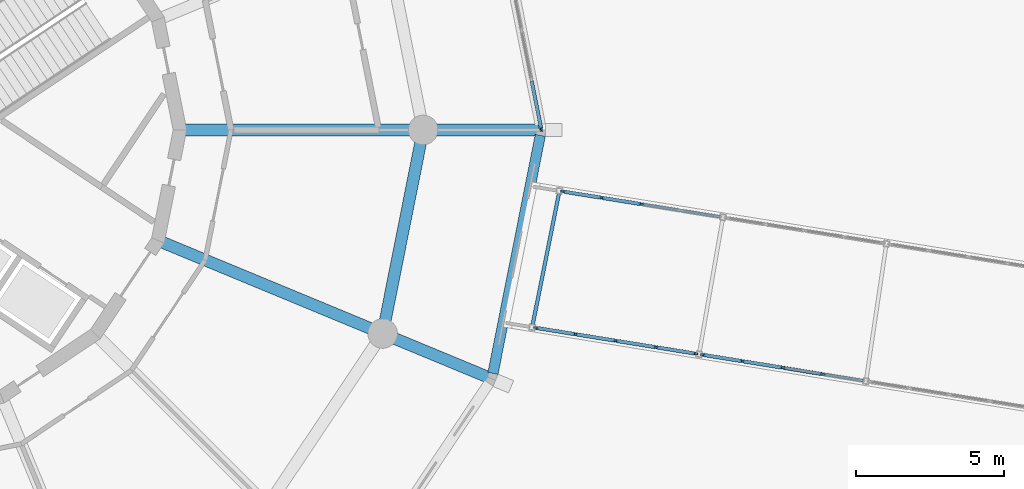
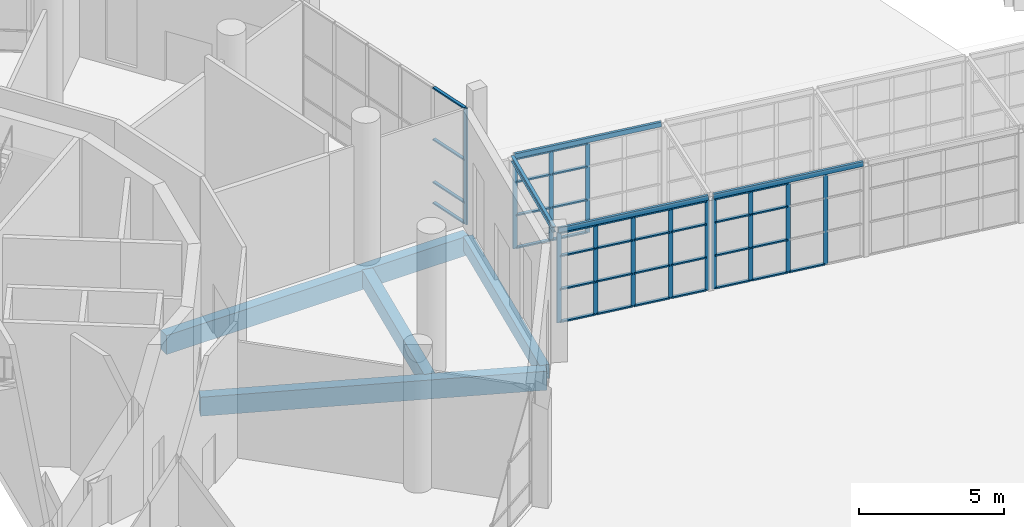
# One storey, part 68 of 226: 50 members, 8 beams, 4 elements without a shape of their own.
"""IFC4 building model written with IfcOpenShell, lengths in metres."""

from ifc_helpers import new_model, si_unit, direction, frame, origin, origin_2d, place, context, subcontext, project, spatial, rectangle, hollow_rectangle, i_section, extrude, material, material_profile, profile_set, type_object, element, aggregate, save


model = new_model("IFC4")

# Units and contexts
model_context = context("Model", 3, precision=1e-05, world=origin(), true_north=direction((0.0, 1.0)))
body_context = subcontext(model_context, "Body", "Model", "MODEL_VIEW")
ifc_project = project(units=[si_unit("LENGTHUNIT", "METRE"), si_unit("AREAUNIT", "SQUARE_METRE"), si_unit("VOLUMEUNIT", "CUBIC_METRE"), si_unit("PLANEANGLEUNIT", "RADIAN"), si_unit("MASSUNIT", "GRAM", prefix="KILO")], contexts=[model_context])

# Site, building, storey
site_placement = place(None, origin())
site = spatial("IfcSite", under=ifc_project, at=site_placement, CompositionType="ELEMENT")
building_placement = place(site_placement, origin())
building = spatial("IfcBuilding", under=site, at=building_placement, Name="Ceibo Conservatory and Research Tower", CompositionType="ELEMENT")
storey_placement = place(building_placement, origin())
storey = spatial("IfcBuildingStorey", under=building, at=storey_placement, Name="L00", CompositionType="ELEMENT", Elevation=0.0)

# Curtain wall, members
ifc_material_1 = material(Name="Aluminium and glass", Category="aluminium")
curtain_wall_type_1 = type_object("IfcCurtainWallType", Name="Curtain wall CW1", PredefinedType="NOTDEFINED", material=ifc_material_1)
curtain_wall_1_placement = place(storey_placement, origin())
curtain_wall_1 = element("IfcCurtainWall", 1, at=curtain_wall_1_placement, inside=storey, type_object=curtain_wall_type_1, Name="CW-00.01", PredefinedType="NOTDEFINED")
ifc_material_2 = material(Name="Aluminium", Category="aluminium")
ifc_material_profile_1 = material_profile(ifc_material_2, rectangle(XDim=0.06005859375, YDim=0.159912109375, at=origin_2d()), Name="Aluminium 60 x 160")
ifc_profile_set_1 = profile_set([ifc_material_profile_1], Name="Aluminium")
member_type_1 = type_object("IfcMemberType", Name="Aluminium mullion 60 x 160", PredefinedType="MULLION", material=ifc_profile_set_1)
member_1_placement = place(storey_placement, frame((69.994140625, 120.029541015625, 0.0), z_axis=(0.0, 0.0, 1.0), x_axis=(-0.980785288916, -0.195090279221, 0.0)))
member_1 = element("IfcMember", 2, at=member_1_placement, type_object=member_type_1, Name="CW-00.01 mullion 1", PredefinedType="MULLION", context=body_context, shape_type="SweptSolid", body=[
    extrude(rectangle(XDim=0.06005859375, YDim=0.159912109375, at=origin_2d()), origin(), (0.0, 0.0, 1.0), 4.89990234375),
])
ifc_material_profile_2 = material_profile(ifc_material_2, rectangle(XDim=0.1201171875, YDim=0.06005859375, at=origin_2d()), Name="Aluminium 60 x 120")
ifc_profile_set_2 = profile_set([ifc_material_profile_2], Name="Aluminium")
member_type_2 = type_object("IfcMemberType", Name="Aluminium transom 60 x 120", PredefinedType="USERDEFINED", material=ifc_profile_set_2)
member_2_placement = place(storey_placement, frame((69.98828125, 120.058837890625, 0.030029296875), z_axis=(-0.195105867559, 0.980782188074, 0.0), x_axis=(-0.980782188074, -0.195105867559, 0.0)))
member_2 = element("IfcMember", 3, at=member_2_placement, type_object=member_type_2, Name="CW-00.01 transom 1.1", ObjectType="TRANSOM", PredefinedType="USERDEFINED", context=body_context, shape_type="SweptSolid", body=[
    extrude(rectangle(XDim=0.1201171875, YDim=0.06005859375, at=origin_2d()), origin(), (0.0, 0.0, 1.0), 1.626708984375),
])
member_3_placement = place(storey_placement, frame((69.98828125, 120.058837890625, 0.89990234375), z_axis=(-0.195105867559, 0.980782188074, 0.0), x_axis=(-0.980782188074, -0.195105867559, 0.0)))
member_3 = element("IfcMember", 4, at=member_3_placement, type_object=member_type_2, Name="CW-00.01 transom 1.2", ObjectType="TRANSOM", PredefinedType="USERDEFINED", context=body_context, shape_type="SweptSolid", body=[
    extrude(rectangle(XDim=0.1201171875, YDim=0.06005859375, at=origin_2d()), origin(), (0.0, 0.0, 1.0), 1.626708984375),
])
member_4_placement = place(storey_placement, frame((69.98828125, 120.058837890625, 2.699951171875), z_axis=(-0.195105867559, 0.980782188074, 0.0), x_axis=(-0.980782188074, -0.195105867559, 0.0)))
member_4 = element("IfcMember", 5, at=member_4_placement, type_object=member_type_2, Name="CW-00.01 transom 1.3", ObjectType="TRANSOM", PredefinedType="USERDEFINED", context=body_context, shape_type="SweptSolid", body=[
    extrude(rectangle(XDim=0.1201171875, YDim=0.06005859375, at=origin_2d()), origin(), (0.0, 0.0, 1.0), 1.626708984375),
])
member_5_placement = place(storey_placement, frame((69.98828125, 120.058837890625, 4.8701171875), z_axis=(-0.195105867559, 0.980782188074, 0.0), x_axis=(-0.980782188074, -0.195105867559, 0.0)))
member_5 = element("IfcMember", 6, at=member_5_placement, type_object=member_type_2, Name="CW-00.01 transom 1.4", ObjectType="TRANSOM", PredefinedType="USERDEFINED", context=body_context, shape_type="SweptSolid", body=[
    extrude(rectangle(XDim=0.1201171875, YDim=0.06005859375, at=origin_2d()), origin(), (0.0, 0.0, 1.0), 1.626708984375),
])
aggregate(curtain_wall_1, [member_1, member_2, member_3, member_4, member_5])

curtain_wall_type_2 = type_object("IfcCurtainWallType", Name="Gallery curtain wall", PredefinedType="NOTDEFINED", material=ifc_material_1)
curtain_wall_2_placement = place(storey_placement, origin())
curtain_wall_2 = element("IfcCurtainWall", 7, at=curtain_wall_2_placement, inside=storey, type_object=curtain_wall_type_2, Name="Gallery curtain wall A-RT-CWN08", PredefinedType="NOTDEFINED")
ifc_material_profile_3 = material_profile(ifc_material_2, rectangle(XDim=0.06005859375, YDim=0.159912109375, at=origin_2d()), Name="AL 60x160")
ifc_profile_set_3 = profile_set([ifc_material_profile_3], Name="Aluminium")
member_type_3 = type_object("IfcMemberType", Name="Gallery mullion 60x160", PredefinedType="MULLION", material=ifc_profile_set_3)
member_6_placement = place(storey_placement, frame((79.5205078125, 111.73779296875, 0.0), z_axis=(0.0, 0.0, 1.0), x_axis=(-0.159391110254, -0.987215515464, 0.0)))
member_6 = element("IfcMember", 8, at=member_6_placement, type_object=member_type_3, Name="A-RT-CWN08 mullion 2", PredefinedType="MULLION", context=body_context, shape_type="SweptSolid", body=[
    extrude(rectangle(XDim=0.06005859375, YDim=0.159912109375, at=origin_2d()), origin(), (0.0, 0.0, 1.0), 3.800048828125),
])
member_7_placement = place(storey_placement, frame((78.15869140625, 111.95751953125, 0.0), z_axis=(0.0, 0.0, 1.0), x_axis=(-0.159391110254, -0.987215515464, 0.0)))
member_7 = element("IfcMember", 9, at=member_7_placement, type_object=member_type_3, Name="A-RT-CWN08 mullion 3", PredefinedType="MULLION", context=body_context, shape_type="SweptSolid", body=[
    extrude(rectangle(XDim=0.06005859375, YDim=0.159912109375, at=origin_2d()), origin(), (0.0, 0.0, 1.0), 3.800048828125),
])
member_8_placement = place(storey_placement, frame((76.796875, 112.177490234375, 0.0), z_axis=(0.0, 0.0, 1.0), x_axis=(-0.159391110254, -0.987215515464, 0.0)))
member_8 = element("IfcMember", 10, at=member_8_placement, type_object=member_type_3, Name="A-RT-CWN08 mullion 4", PredefinedType="MULLION", context=body_context, shape_type="SweptSolid", body=[
    extrude(rectangle(XDim=0.06005859375, YDim=0.159912109375, at=origin_2d()), origin(), (0.0, 0.0, 1.0), 3.800048828125),
])
member_9_placement = place(storey_placement, frame((75.464599609375, 112.392578125, 0.0), z_axis=(0.0, 0.0, 1.0), x_axis=(-0.159391110254, -0.987215515464, 0.0)))
member_9 = element("IfcMember", 11, at=member_9_placement, type_object=member_type_3, Name="A-RT-CWN08 mullion 5", PredefinedType="MULLION", context=body_context, shape_type="SweptSolid", body=[
    extrude(rectangle(XDim=0.06005859375, YDim=0.159912109375, at=origin_2d()), origin(), (0.0, 0.0, 1.0), 3.800048828125),
])

curtain_wall_3_placement = place(storey_placement, origin())
curtain_wall_3 = element("IfcCurtainWall", 12, at=curtain_wall_3_placement, inside=storey, type_object=curtain_wall_type_2, Name="Gallery curtain wall A-RT-CWN09", PredefinedType="NOTDEFINED")
member_10_placement = place(storey_placement, frame((75.207763671875, 112.43408203125, 0.0), z_axis=(0.0, 0.0, 1.0), x_axis=(-0.159391110254, -0.987215515464, 0.0)))
member_10 = element("IfcMember", 13, at=member_10_placement, type_object=member_type_3, Name="A-RT-CWN09 mullion 1", PredefinedType="MULLION", context=body_context, shape_type="SweptSolid", body=[
    extrude(rectangle(XDim=0.06005859375, YDim=0.159912109375, at=origin_2d()), origin(), (0.0, 0.0, 1.0), 3.800048828125),
])
member_11_placement = place(storey_placement, frame((73.87548828125, 112.649169921875, 0.0), z_axis=(0.0, 0.0, 1.0), x_axis=(-0.159391110254, -0.987215515464, 0.0)))
member_11 = element("IfcMember", 14, at=member_11_placement, type_object=member_type_3, Name="A-RT-CWN09 mullion 2", PredefinedType="MULLION", context=body_context, shape_type="SweptSolid", body=[
    extrude(rectangle(XDim=0.06005859375, YDim=0.159912109375, at=origin_2d()), origin(), (0.0, 0.0, 1.0), 3.800048828125),
])
member_12_placement = place(storey_placement, frame((72.513671875, 112.868896484375, 0.0), z_axis=(0.0, 0.0, 1.0), x_axis=(-0.159391110254, -0.987215515464, 0.0)))
member_12 = element("IfcMember", 15, at=member_12_placement, type_object=member_type_3, Name="A-RT-CWN09 mullion 3", PredefinedType="MULLION", context=body_context, shape_type="SweptSolid", body=[
    extrude(rectangle(XDim=0.06005859375, YDim=0.159912109375, at=origin_2d()), origin(), (0.0, 0.0, 1.0), 3.800048828125),
])
member_13_placement = place(storey_placement, frame((71.15185546875, 113.0888671875, 0.0), z_axis=(0.0, 0.0, 1.0), x_axis=(-0.159391110254, -0.987215515464, 0.0)))
member_13 = element("IfcMember", 16, at=member_13_placement, type_object=member_type_3, Name="A-RT-CWN09 mullion 4", PredefinedType="MULLION", context=body_context, shape_type="SweptSolid", body=[
    extrude(rectangle(XDim=0.06005859375, YDim=0.159912109375, at=origin_2d()), origin(), (0.0, 0.0, 1.0), 3.800048828125),
])
member_14_placement = place(storey_placement, frame((69.819580078125, 113.303955078125, 0.0), z_axis=(0.0, 0.0, 1.0), x_axis=(-0.159391110254, -0.987215515464, 0.0)))
member_14 = element("IfcMember", 17, at=member_14_placement, type_object=member_type_3, Name="A-RT-CWN09 mullion 5", PredefinedType="MULLION", context=body_context, shape_type="SweptSolid", body=[
    extrude(rectangle(XDim=0.06005859375, YDim=0.159912109375, at=origin_2d()), origin(), (0.0, 0.0, 1.0), 3.800048828125),
])

curtain_wall_4_placement = place(storey_placement, origin())
curtain_wall_4 = element("IfcCurtainWall", 18, at=curtain_wall_4_placement, inside=storey, type_object=curtain_wall_type_2, Name="Gallery curtain wall A-RT-CWS09", PredefinedType="NOTDEFINED")
member_15_placement = place(storey_placement, frame((73.375244140625, 117.49072265625, 0.0), z_axis=(0.0, 0.0, 1.0), x_axis=(-0.159391110254, -0.987215515464, 0.0)))
member_15 = element("IfcMember", 19, at=member_15_placement, type_object=member_type_3, Name="A-RT-CWS09 mullion 3", PredefinedType="MULLION", context=body_context, shape_type="SweptSolid", body=[
    extrude(rectangle(XDim=0.06005859375, YDim=0.159912109375, at=origin_2d()), origin(), (0.0, 0.0, 1.0), 3.800048828125),
])
member_16_placement = place(storey_placement, frame((72.041259765625, 117.7060546875, 0.0), z_axis=(0.0, 0.0, 1.0), x_axis=(-0.159391110254, -0.987215515464, 0.0)))
member_16 = element("IfcMember", 20, at=member_16_placement, type_object=member_type_3, Name="A-RT-CWS09 mullion 4", PredefinedType="MULLION", context=body_context, shape_type="SweptSolid", body=[
    extrude(rectangle(XDim=0.06005859375, YDim=0.159912109375, at=origin_2d()), origin(), (0.0, 0.0, 1.0), 3.800048828125),
])
member_17_placement = place(storey_placement, frame((70.737060546875, 117.916748046875, 0.0), z_axis=(0.0, 0.0, 1.0), x_axis=(-0.159391110254, -0.987215515464, 0.0)))
member_17 = element("IfcMember", 21, at=member_17_placement, type_object=member_type_3, Name="A-RT-CWS09 mullion 5", PredefinedType="MULLION", context=body_context, shape_type="SweptSolid", body=[
    extrude(rectangle(XDim=0.06005859375, YDim=0.159912109375, at=origin_2d()), origin(), (0.0, 0.0, 1.0), 3.800048828125),
])

# Member
ifc_material_profile_4 = material_profile(ifc_material_2, rectangle(XDim=0.1201171875, YDim=0.06005859375, at=origin_2d()), Name="AL 60x120")
ifc_profile_set_4 = profile_set([ifc_material_profile_4], Name="Aluminium")
member_type_4 = type_object("IfcMemberType", Name="Gallery transom 60x120", PredefinedType="USERDEFINED", material=ifc_profile_set_4)
member_18_placement = place(storey_placement, frame((79.490966796875, 111.742431640625, 0.030029296875), z_axis=(-0.987201687199, 0.159476734326, 0.0), x_axis=(-0.159476734326, -0.987201687199, 0.0)))
member_18 = element("IfcMember", 22, at=member_18_placement, type_object=member_type_4, Name="A-RT-CWN08 transom 2.1", ObjectType="TRANSOM", PredefinedType="USERDEFINED", context=body_context, shape_type="SweptSolid", body=[
    extrude(rectangle(XDim=0.1201171875, YDim=0.06005859375, at=origin_2d()), origin(), (0.0, 0.0, 1.0), 1.319580078125),
])

member_19_placement = place(storey_placement, frame((78.129150390625, 111.96240234375, 0.030029296875), z_axis=(-0.987230798426, 0.159296423809, 0.0), x_axis=(-0.159296423809, -0.987230798426, 0.0)))
member_19 = element("IfcMember", 23, at=member_19_placement, type_object=member_type_4, Name="A-RT-CWN08 transom 3.1", ObjectType="TRANSOM", PredefinedType="USERDEFINED", context=body_context, shape_type="SweptSolid", body=[
    extrude(rectangle(XDim=0.1201171875, YDim=0.06005859375, at=origin_2d()), origin(), (0.0, 0.0, 1.0), 1.319580078125),
])

member_20_placement = place(storey_placement, frame((78.129150390625, 111.96240234375, 1.39990234375), z_axis=(-0.987230798426, 0.159296423809, 0.0), x_axis=(-0.159296423809, -0.987230798426, 0.0)))
member_20 = element("IfcMember", 24, at=member_20_placement, type_object=member_type_4, Name="A-RT-CWN08 transom 3.2", ObjectType="TRANSOM", PredefinedType="USERDEFINED", context=body_context, shape_type="SweptSolid", body=[
    extrude(rectangle(XDim=0.1201171875, YDim=0.06005859375, at=origin_2d()), origin(), (0.0, 0.0, 1.0), 1.319580078125),
])

member_21_placement = place(storey_placement, frame((78.129150390625, 111.96240234375, 2.800048828125), z_axis=(-0.987230798426, 0.159296423809, 0.0), x_axis=(-0.159296423809, -0.987230798426, 0.0)))
member_21 = element("IfcMember", 25, at=member_21_placement, type_object=member_type_4, Name="A-RT-CWN08 transom 3.3", ObjectType="TRANSOM", PredefinedType="USERDEFINED", context=body_context, shape_type="SweptSolid", body=[
    extrude(rectangle(XDim=0.1201171875, YDim=0.06005859375, at=origin_2d()), origin(), (0.0, 0.0, 1.0), 1.319580078125),
])

member_22_placement = place(storey_placement, frame((78.129150390625, 111.96240234375, 3.77001953125), z_axis=(-0.987230798426, 0.159296423809, 0.0), x_axis=(-0.159296423809, -0.987230798426, 0.0)))
member_22 = element("IfcMember", 26, at=member_22_placement, type_object=member_type_4, Name="A-RT-CWN08 transom 3.4", ObjectType="TRANSOM", PredefinedType="USERDEFINED", context=body_context, shape_type="SweptSolid", body=[
    extrude(rectangle(XDim=0.1201171875, YDim=0.06005859375, at=origin_2d()), origin(), (0.0, 0.0, 1.0), 1.319580078125),
])

member_23_placement = place(storey_placement, frame((76.76708984375, 112.182373046875, 0.030029296875), z_axis=(-0.987240160532, 0.159238391831, 0.0), x_axis=(-0.159238391831, -0.987240160532, 0.0)))
member_23 = element("IfcMember", 27, at=member_23_placement, type_object=member_type_4, Name="A-RT-CWN08 transom 4.1", ObjectType="TRANSOM", PredefinedType="USERDEFINED", context=body_context, shape_type="SweptSolid", body=[
    extrude(rectangle(XDim=0.1201171875, YDim=0.06005859375, at=origin_2d()), origin(), (0.0, 0.0, 1.0), 1.289306640625),
])

member_24_placement = place(storey_placement, frame((76.76708984375, 112.182373046875, 1.39990234375), z_axis=(-0.987240160532, 0.159238391831, 0.0), x_axis=(-0.159238391831, -0.987240160532, 0.0)))
member_24 = element("IfcMember", 28, at=member_24_placement, type_object=member_type_4, Name="A-RT-CWN08 transom 4.2", ObjectType="TRANSOM", PredefinedType="USERDEFINED", context=body_context, shape_type="SweptSolid", body=[
    extrude(rectangle(XDim=0.1201171875, YDim=0.06005859375, at=origin_2d()), origin(), (0.0, 0.0, 1.0), 1.289306640625),
])

member_25_placement = place(storey_placement, frame((76.76708984375, 112.182373046875, 2.800048828125), z_axis=(-0.987240160532, 0.159238391831, 0.0), x_axis=(-0.159238391831, -0.987240160532, 0.0)))
member_25 = element("IfcMember", 29, at=member_25_placement, type_object=member_type_4, Name="A-RT-CWN08 transom 4.3", ObjectType="TRANSOM", PredefinedType="USERDEFINED", context=body_context, shape_type="SweptSolid", body=[
    extrude(rectangle(XDim=0.1201171875, YDim=0.06005859375, at=origin_2d()), origin(), (0.0, 0.0, 1.0), 1.289306640625),
])

member_26_placement = place(storey_placement, frame((76.76708984375, 112.182373046875, 3.77001953125), z_axis=(-0.987240160532, 0.159238391831, 0.0), x_axis=(-0.159238391831, -0.987240160532, 0.0)))
member_26 = element("IfcMember", 30, at=member_26_placement, type_object=member_type_4, Name="A-RT-CWN08 transom 4.4", ObjectType="TRANSOM", PredefinedType="USERDEFINED", context=body_context, shape_type="SweptSolid", body=[
    extrude(rectangle(XDim=0.1201171875, YDim=0.06005859375, at=origin_2d()), origin(), (0.0, 0.0, 1.0), 1.289306640625),
])

aggregate(curtain_wall_2, [member_6, member_7, member_8, member_9, member_18, member_19, member_20, member_21, member_22, member_23, member_24, member_25, member_26])

member_27_placement = place(storey_placement, frame((75.17822265625, 112.438720703125, 0.030029296875), z_axis=(-0.987210378052, 0.159422926413, 0.0), x_axis=(-0.159422926413, -0.987210378052, 0.0)))
member_27 = element("IfcMember", 31, at=member_27_placement, type_object=member_type_4, Name="A-RT-CWN09 transom 1.1", ObjectType="TRANSOM", PredefinedType="USERDEFINED", context=body_context, shape_type="SweptSolid", body=[
    extrude(rectangle(XDim=0.1201171875, YDim=0.06005859375, at=origin_2d()), origin(), (0.0, 0.0, 1.0), 1.28955078125),
])

member_28_placement = place(storey_placement, frame((75.17822265625, 112.438720703125, 1.39990234375), z_axis=(-0.987210378052, 0.159422926413, 0.0), x_axis=(-0.159422926413, -0.987210378052, 0.0)))
member_28 = element("IfcMember", 32, at=member_28_placement, type_object=member_type_4, Name="A-RT-CWN09 transom 1.2", ObjectType="TRANSOM", PredefinedType="USERDEFINED", context=body_context, shape_type="SweptSolid", body=[
    extrude(rectangle(XDim=0.1201171875, YDim=0.06005859375, at=origin_2d()), origin(), (0.0, 0.0, 1.0), 1.28955078125),
])

member_29_placement = place(storey_placement, frame((75.17822265625, 112.438720703125, 2.800048828125), z_axis=(-0.987210378052, 0.159422926413, 0.0), x_axis=(-0.159422926413, -0.987210378052, 0.0)))
member_29 = element("IfcMember", 33, at=member_29_placement, type_object=member_type_4, Name="A-RT-CWN09 transom 1.3", ObjectType="TRANSOM", PredefinedType="USERDEFINED", context=body_context, shape_type="SweptSolid", body=[
    extrude(rectangle(XDim=0.1201171875, YDim=0.06005859375, at=origin_2d()), origin(), (0.0, 0.0, 1.0), 1.28955078125),
])

member_30_placement = place(storey_placement, frame((75.17822265625, 112.438720703125, 3.77001953125), z_axis=(-0.987210378052, 0.159422926413, 0.0), x_axis=(-0.159422926413, -0.987210378052, 0.0)))
member_30 = element("IfcMember", 34, at=member_30_placement, type_object=member_type_4, Name="A-RT-CWN09 transom 1.4", ObjectType="TRANSOM", PredefinedType="USERDEFINED", context=body_context, shape_type="SweptSolid", body=[
    extrude(rectangle(XDim=0.1201171875, YDim=0.06005859375, at=origin_2d()), origin(), (0.0, 0.0, 1.0), 1.28955078125),
])

member_31_placement = place(storey_placement, frame((73.845947265625, 112.65380859375, 0.030029296875), z_axis=(-0.987201687199, 0.159476734326, 0.0), x_axis=(-0.159476734326, -0.987201687199, 0.0)))
member_31 = element("IfcMember", 35, at=member_31_placement, type_object=member_type_4, Name="A-RT-CWN09 transom 2.1", ObjectType="TRANSOM", PredefinedType="USERDEFINED", context=body_context, shape_type="SweptSolid", body=[
    extrude(rectangle(XDim=0.1201171875, YDim=0.06005859375, at=origin_2d()), origin(), (0.0, 0.0, 1.0), 1.319580078125),
])

member_32_placement = place(storey_placement, frame((73.845947265625, 112.65380859375, 1.39990234375), z_axis=(-0.987201687199, 0.159476734326, 0.0), x_axis=(-0.159476734326, -0.987201687199, 0.0)))
member_32 = element("IfcMember", 36, at=member_32_placement, type_object=member_type_4, Name="A-RT-CWN09 transom 2.2", ObjectType="TRANSOM", PredefinedType="USERDEFINED", context=body_context, shape_type="SweptSolid", body=[
    extrude(rectangle(XDim=0.1201171875, YDim=0.06005859375, at=origin_2d()), origin(), (0.0, 0.0, 1.0), 1.319580078125),
])

member_33_placement = place(storey_placement, frame((73.845947265625, 112.65380859375, 2.800048828125), z_axis=(-0.987201687199, 0.159476734326, 0.0), x_axis=(-0.159476734326, -0.987201687199, 0.0)))
member_33 = element("IfcMember", 37, at=member_33_placement, type_object=member_type_4, Name="A-RT-CWN09 transom 2.3", ObjectType="TRANSOM", PredefinedType="USERDEFINED", context=body_context, shape_type="SweptSolid", body=[
    extrude(rectangle(XDim=0.1201171875, YDim=0.06005859375, at=origin_2d()), origin(), (0.0, 0.0, 1.0), 1.319580078125),
])

member_34_placement = place(storey_placement, frame((73.845947265625, 112.65380859375, 3.77001953125), z_axis=(-0.987201687199, 0.159476734326, 0.0), x_axis=(-0.159476734326, -0.987201687199, 0.0)))
member_34 = element("IfcMember", 38, at=member_34_placement, type_object=member_type_4, Name="A-RT-CWN09 transom 2.4", ObjectType="TRANSOM", PredefinedType="USERDEFINED", context=body_context, shape_type="SweptSolid", body=[
    extrude(rectangle(XDim=0.1201171875, YDim=0.06005859375, at=origin_2d()), origin(), (0.0, 0.0, 1.0), 1.319580078125),
])

member_35_placement = place(storey_placement, frame((72.484130859375, 112.873779296875, 0.030029296875), z_axis=(-0.987201687199, 0.159476734326, 0.0), x_axis=(-0.159476734326, -0.987201687199, 0.0)))
member_35 = element("IfcMember", 39, at=member_35_placement, type_object=member_type_4, Name="A-RT-CWN09 transom 3.1", ObjectType="TRANSOM", PredefinedType="USERDEFINED", context=body_context, shape_type="SweptSolid", body=[
    extrude(rectangle(XDim=0.1201171875, YDim=0.06005859375, at=origin_2d()), origin(), (0.0, 0.0, 1.0), 1.319580078125),
])

member_36_placement = place(storey_placement, frame((72.484130859375, 112.873779296875, 1.39990234375), z_axis=(-0.987201687199, 0.159476734326, 0.0), x_axis=(-0.159476734326, -0.987201687199, 0.0)))
member_36 = element("IfcMember", 40, at=member_36_placement, type_object=member_type_4, Name="A-RT-CWN09 transom 3.2", ObjectType="TRANSOM", PredefinedType="USERDEFINED", context=body_context, shape_type="SweptSolid", body=[
    extrude(rectangle(XDim=0.1201171875, YDim=0.06005859375, at=origin_2d()), origin(), (0.0, 0.0, 1.0), 1.319580078125),
])

member_37_placement = place(storey_placement, frame((72.484130859375, 112.873779296875, 2.800048828125), z_axis=(-0.987201687199, 0.159476734326, 0.0), x_axis=(-0.159476734326, -0.987201687199, 0.0)))
member_37 = element("IfcMember", 41, at=member_37_placement, type_object=member_type_4, Name="A-RT-CWN09 transom 3.3", ObjectType="TRANSOM", PredefinedType="USERDEFINED", context=body_context, shape_type="SweptSolid", body=[
    extrude(rectangle(XDim=0.1201171875, YDim=0.06005859375, at=origin_2d()), origin(), (0.0, 0.0, 1.0), 1.319580078125),
])

member_38_placement = place(storey_placement, frame((72.484130859375, 112.873779296875, 3.77001953125), z_axis=(-0.987201687199, 0.159476734326, 0.0), x_axis=(-0.159476734326, -0.987201687199, 0.0)))
member_38 = element("IfcMember", 42, at=member_38_placement, type_object=member_type_4, Name="A-RT-CWN09 transom 3.4", ObjectType="TRANSOM", PredefinedType="USERDEFINED", context=body_context, shape_type="SweptSolid", body=[
    extrude(rectangle(XDim=0.1201171875, YDim=0.06005859375, at=origin_2d()), origin(), (0.0, 0.0, 1.0), 1.319580078125),
])

member_39_placement = place(storey_placement, frame((71.1220703125, 113.09375, 0.030029296875), z_axis=(-0.987210378052, 0.159422926413, 0.0), x_axis=(-0.159422926413, -0.987210378052, 0.0)))
member_39 = element("IfcMember", 43, at=member_39_placement, type_object=member_type_4, Name="A-RT-CWN09 transom 4.1", ObjectType="TRANSOM", PredefinedType="USERDEFINED", context=body_context, shape_type="SweptSolid", body=[
    extrude(rectangle(XDim=0.1201171875, YDim=0.06005859375, at=origin_2d()), origin(), (0.0, 0.0, 1.0), 1.28955078125),
])

member_40_placement = place(storey_placement, frame((71.1220703125, 113.09375, 1.39990234375), z_axis=(-0.987210378052, 0.159422926413, 0.0), x_axis=(-0.159422926413, -0.987210378052, 0.0)))
member_40 = element("IfcMember", 44, at=member_40_placement, type_object=member_type_4, Name="A-RT-CWN09 transom 4.2", ObjectType="TRANSOM", PredefinedType="USERDEFINED", context=body_context, shape_type="SweptSolid", body=[
    extrude(rectangle(XDim=0.1201171875, YDim=0.06005859375, at=origin_2d()), origin(), (0.0, 0.0, 1.0), 1.28955078125),
])

member_41_placement = place(storey_placement, frame((71.1220703125, 113.09375, 2.800048828125), z_axis=(-0.987210378052, 0.159422926413, 0.0), x_axis=(-0.159422926413, -0.987210378052, 0.0)))
member_41 = element("IfcMember", 45, at=member_41_placement, type_object=member_type_4, Name="A-RT-CWN09 transom 4.3", ObjectType="TRANSOM", PredefinedType="USERDEFINED", context=body_context, shape_type="SweptSolid", body=[
    extrude(rectangle(XDim=0.1201171875, YDim=0.06005859375, at=origin_2d()), origin(), (0.0, 0.0, 1.0), 1.28955078125),
])

member_42_placement = place(storey_placement, frame((71.1220703125, 113.09375, 3.77001953125), z_axis=(-0.987210378052, 0.159422926413, 0.0), x_axis=(-0.159422926413, -0.987210378052, 0.0)))
member_42 = element("IfcMember", 46, at=member_42_placement, type_object=member_type_4, Name="A-RT-CWN09 transom 4.4", ObjectType="TRANSOM", PredefinedType="USERDEFINED", context=body_context, shape_type="SweptSolid", body=[
    extrude(rectangle(XDim=0.1201171875, YDim=0.06005859375, at=origin_2d()), origin(), (0.0, 0.0, 1.0), 1.28955078125),
])

aggregate(curtain_wall_3, [member_10, member_11, member_12, member_13, member_14, member_27, member_28, member_29, member_30, member_31, member_32, member_33, member_34, member_35, member_36, member_37, member_38, member_39, member_40, member_41, member_42])

member_43_placement = place(storey_placement, frame((73.345458984375, 117.49560546875, 0.030029296875), z_axis=(-0.987214258871, 0.159398892976, 0.0), x_axis=(-0.159398892976, -0.987214258871, 0.0)))
member_43 = element("IfcMember", 47, at=member_43_placement, type_object=member_type_4, Name="A-RT-CWS09 transom 3.1", ObjectType="TRANSOM", PredefinedType="USERDEFINED", context=body_context, shape_type="SweptSolid", body=[
    extrude(rectangle(XDim=0.1201171875, YDim=0.06005859375, at=origin_2d()), origin(), (0.0, 0.0, 1.0), 1.291259765625),
])

member_44_placement = place(storey_placement, frame((73.345458984375, 117.49560546875, 1.39990234375), z_axis=(-0.987214258871, 0.159398892976, 0.0), x_axis=(-0.159398892976, -0.987214258871, 0.0)))
member_44 = element("IfcMember", 48, at=member_44_placement, type_object=member_type_4, Name="A-RT-CWS09 transom 3.2", ObjectType="TRANSOM", PredefinedType="USERDEFINED", context=body_context, shape_type="SweptSolid", body=[
    extrude(rectangle(XDim=0.1201171875, YDim=0.06005859375, at=origin_2d()), origin(), (0.0, 0.0, 1.0), 1.291259765625),
])

member_45_placement = place(storey_placement, frame((73.345458984375, 117.49560546875, 2.800048828125), z_axis=(-0.987214258871, 0.159398892976, 0.0), x_axis=(-0.159398892976, -0.987214258871, 0.0)))
member_45 = element("IfcMember", 49, at=member_45_placement, type_object=member_type_4, Name="A-RT-CWS09 transom 3.3", ObjectType="TRANSOM", PredefinedType="USERDEFINED", context=body_context, shape_type="SweptSolid", body=[
    extrude(rectangle(XDim=0.1201171875, YDim=0.06005859375, at=origin_2d()), origin(), (0.0, 0.0, 1.0), 1.291259765625),
])

member_46_placement = place(storey_placement, frame((73.345458984375, 117.49560546875, 3.77001953125), z_axis=(-0.987214258871, 0.159398892976, 0.0), x_axis=(-0.159398892976, -0.987214258871, 0.0)))
member_46 = element("IfcMember", 50, at=member_46_placement, type_object=member_type_4, Name="A-RT-CWS09 transom 3.4", ObjectType="TRANSOM", PredefinedType="USERDEFINED", context=body_context, shape_type="SweptSolid", body=[
    extrude(rectangle(XDim=0.1201171875, YDim=0.06005859375, at=origin_2d()), origin(), (0.0, 0.0, 1.0), 1.291259765625),
])

member_47_placement = place(storey_placement, frame((72.01171875, 117.7109375, 0.030029296875), z_axis=(-0.987228356567, 0.159311556364, 0.0), x_axis=(-0.159311556364, -0.987228356567, 0.0)))
member_47 = element("IfcMember", 51, at=member_47_placement, type_object=member_type_4, Name="A-RT-CWS09 transom 4.1", ObjectType="TRANSOM", PredefinedType="USERDEFINED", context=body_context, shape_type="SweptSolid", body=[
    extrude(rectangle(XDim=0.1201171875, YDim=0.06005859375, at=origin_2d()), origin(), (0.0, 0.0, 1.0), 1.26123046875),
])

member_48_placement = place(storey_placement, frame((72.01171875, 117.7109375, 1.39990234375), z_axis=(-0.987228356567, 0.159311556364, 0.0), x_axis=(-0.159311556364, -0.987228356567, 0.0)))
member_48 = element("IfcMember", 52, at=member_48_placement, type_object=member_type_4, Name="A-RT-CWS09 transom 4.2", ObjectType="TRANSOM", PredefinedType="USERDEFINED", context=body_context, shape_type="SweptSolid", body=[
    extrude(rectangle(XDim=0.1201171875, YDim=0.06005859375, at=origin_2d()), origin(), (0.0, 0.0, 1.0), 1.26123046875),
])

member_49_placement = place(storey_placement, frame((72.01171875, 117.7109375, 2.800048828125), z_axis=(-0.987228356567, 0.159311556364, 0.0), x_axis=(-0.159311556364, -0.987228356567, 0.0)))
member_49 = element("IfcMember", 53, at=member_49_placement, type_object=member_type_4, Name="A-RT-CWS09 transom 4.3", ObjectType="TRANSOM", PredefinedType="USERDEFINED", context=body_context, shape_type="SweptSolid", body=[
    extrude(rectangle(XDim=0.1201171875, YDim=0.06005859375, at=origin_2d()), origin(), (0.0, 0.0, 1.0), 1.26123046875),
])

member_50_placement = place(storey_placement, frame((72.01171875, 117.7109375, 3.77001953125), z_axis=(-0.987228356567, 0.159311556364, 0.0), x_axis=(-0.159311556364, -0.987228356567, 0.0)))
member_50 = element("IfcMember", 54, at=member_50_placement, type_object=member_type_4, Name="A-RT-CWS09 transom 4.4", ObjectType="TRANSOM", PredefinedType="USERDEFINED", context=body_context, shape_type="SweptSolid", body=[
    extrude(rectangle(XDim=0.1201171875, YDim=0.06005859375, at=origin_2d()), origin(), (0.0, 0.0, 1.0), 1.26123046875),
])

aggregate(curtain_wall_4, [member_15, member_16, member_17, member_43, member_44, member_45, member_46, member_47, member_48, member_49, member_50])

# Beams
ifc_material_3 = material(Name="Steel S355J2", Category="steel")
ifc_material_profile_5 = material_profile(ifc_material_3, i_section(OverallWidth=0.1201171875, OverallDepth=0.239990234375, WebThickness=0.006103515625, FlangeThickness=0.009765625, at=origin_2d()), Name="IPE 240")
ifc_profile_set_5 = profile_set([ifc_material_profile_5], Name="Steel S355J2")
beam_type_1 = type_object("IfcBeamType", Name="IPE 240 roof beam", PredefinedType="BEAM", material=ifc_profile_set_5)
beam_1_placement = place(storey_placement, frame((69.706298828125, 113.41845703125, 3.8798828125), z_axis=(0.196573823451, 0.980489026932, 0.0), x_axis=(-0.980489026932, 0.196573823451, 0.0)))
element("IfcBeam", 55, at=beam_1_placement, inside=storey, type_object=beam_type_1, Name="Gallery roof beam A-RT-RB09", PredefinedType="BEAM", context=body_context, shape_type="SweptSolid", body=[
    extrude(i_section(OverallWidth=0.1201171875, OverallDepth=0.239990234375, WebThickness=0.006103515625, FlangeThickness=0.009765625, at=origin_2d()), origin(), (0.0, 0.0, 1.0), 4.513427734375),
])
ifc_material_4 = material(Name="Concrete C35/45", Category="concrete")
ifc_material_profile_6 = material_profile(ifc_material_4, rectangle(XDim=0.35009765625, YDim=0.60009765625, at=origin_2d()), Name="RC 350x600")
ifc_profile_set_6 = profile_set([ifc_material_profile_6], Name="Concrete C35/45")
beam_type_2 = type_object("IfcBeamType", Name="RC beam 350x600 C35", PredefinedType="BEAM", material=ifc_profile_set_6)
beam_2_placement = place(storey_placement, frame((68.361328125, 111.76123046875, -0.64990234375), z_axis=(0.195076015612, 0.980788126016, 0.0), x_axis=(-0.980788126016, 0.195076015612, 0.0)))
element("IfcBeam", 56, at=beam_2_placement, inside=storey, type_object=beam_type_2, Name="Edge beam 16 L00", PredefinedType="BEAM", context=body_context, shape_type="SweptSolid", body=[
    extrude(rectangle(XDim=0.35009765625, YDim=0.60009765625, at=origin_2d()), origin(), (0.0, 0.0, 1.0), 8.21630859375),
])
ifc_material_profile_7 = material_profile(ifc_material_4, rectangle(XDim=0.39990234375, YDim=0.699951171875, at=origin_2d()), Name="RC 400x700")
ifc_profile_set_7 = profile_set([ifc_material_profile_7], Name="Concrete C35/45")
beam_type_3 = type_object("IfcBeamType", Name="RC beam 400x700 C35", PredefinedType="BEAM", material=ifc_profile_set_7)
beam_3_placement = place(storey_placement, frame((64.665771484375, 113.2919921875, -0.699951171875), z_axis=(0.19507903146, 0.980787526167, 0.0), x_axis=(-0.980787526167, 0.19507903146, 0.0)))
element("IfcBeam", 57, at=beam_3_placement, inside=storey, type_object=beam_type_3, Name="Ring beam 16 L00", PredefinedType="BEAM", context=body_context, shape_type="SweptSolid", body=[
    extrude(rectangle(XDim=0.39990234375, YDim=0.699951171875, at=origin_2d()), origin(), (0.0, 0.0, 1.0), 6.655517578125),
])
ifc_material_profile_8 = material_profile(ifc_material_4, rectangle(XDim=0.39990234375, YDim=0.800048828125, at=origin_2d()), Name="RC 400x800")
ifc_profile_set_8 = profile_set([ifc_material_profile_8], Name="Concrete C35/45")
beam_type_4 = type_object("IfcBeamType", Name="RC beam 400x800 C35", PredefinedType="BEAM", material=ifc_profile_set_8)
for number, where, z_axis, x_axis, name in (
    (58, (57.949951171875, 120.0, -0.75), (1.0, 0.0, 0.0), (0.0, 1.0, 0.0), "Radial beam R1 L00"),
    (59, (57.192626953125, 116.1923828125, -0.75), (0.923874289595, -0.382696089639, 0.0), (0.382696089639, 0.923874289595, 0.0), "Radial beam R16 L00"),
):
    element("IfcBeam", number, at=place(storey_placement, frame(where, z_axis=z_axis, x_axis=x_axis)), inside=storey, type_object=beam_type_4, Name=name, PredefinedType="BEAM", context=body_context, shape_type="SweptSolid", body=[
        extrude(rectangle(XDim=0.39990234375, YDim=0.800048828125, at=origin_2d()), origin(), (0.0, 0.0, 1.0), 12.045166015625),
    ])
ifc_material_5 = material(Name="Steel S355J2H", Category="steel")
ifc_material_profile_9 = material_profile(ifc_material_5, hollow_rectangle(XDim=0.10009765625, YDim=0.199951171875, WallThickness=0.008056640625, at=origin_2d()), Name="RHS 200x100x8 edge beam")
ifc_profile_set_9 = profile_set([ifc_material_profile_9], Name="Steel S355J2H")
beam_type_5 = type_object("IfcBeamType", Name="RHS 200x100x8 edge beam", PredefinedType="BEAM", material=ifc_profile_set_9)
for number, where, z_axis, x_axis, name in (
    (60, (80.887451171875, 111.51708984375, 3.89990234375), (-0.987216698603, 0.159383782109, 0.0), (-0.159383782109, -0.987216698603, 0.0), "Gallery edge beam A-RT-EBN08"),
    (61, (75.242431640625, 112.428466796875, 3.89990234375), (-0.987216698603, 0.159383782109, 0.0), (-0.159383782109, -0.987216698603, 0.0), "Gallery edge beam A-RT-EBN09"),
):
    element("IfcBeam", number, at=place(storey_placement, frame(where, z_axis=z_axis, x_axis=x_axis)), inside=storey, type_object=beam_type_5, Name=name, PredefinedType="BEAM", context=body_context, shape_type="SweptSolid", body=[
        extrude(hollow_rectangle(XDim=0.10009765625, YDim=0.199951171875, WallThickness=0.008056640625, at=origin_2d()), origin(), (0.0, 0.0, 1.0), 5.528076171875),
    ])
beam_4_placement = place(storey_placement, frame((76.0478515625, 117.059326171875, 3.89990234375), z_axis=(-0.987215957529, 0.159388372225, 0.0), x_axis=(-0.159388372225, -0.987215957529, 0.0)))
element("IfcBeam", 62, at=beam_4_placement, inside=storey, type_object=beam_type_5, Name="Gallery edge beam A-RT-EBS09", PredefinedType="BEAM", context=body_context, shape_type="SweptSolid", body=[
    extrude(hollow_rectangle(XDim=0.10009765625, YDim=0.199951171875, WallThickness=0.008056640625, at=origin_2d()), origin(), (0.0, 0.0, 1.0), 5.414794921875),
])

save(model, "model.ifc")
